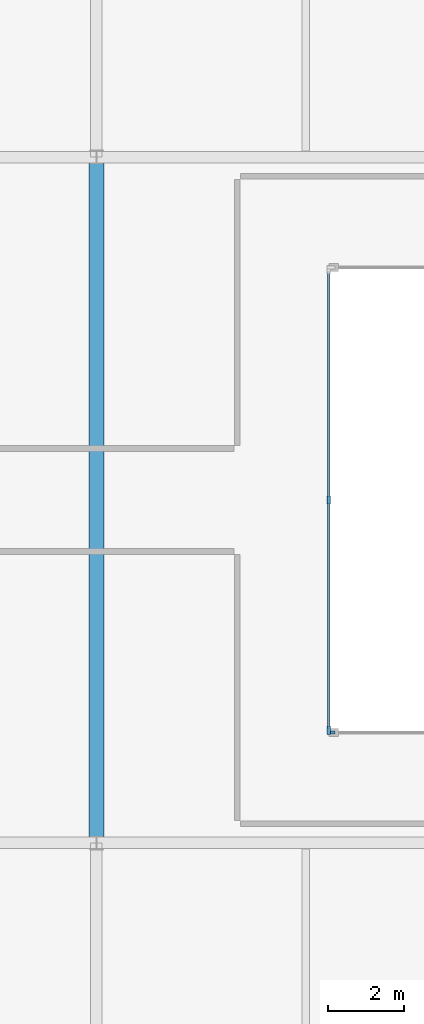
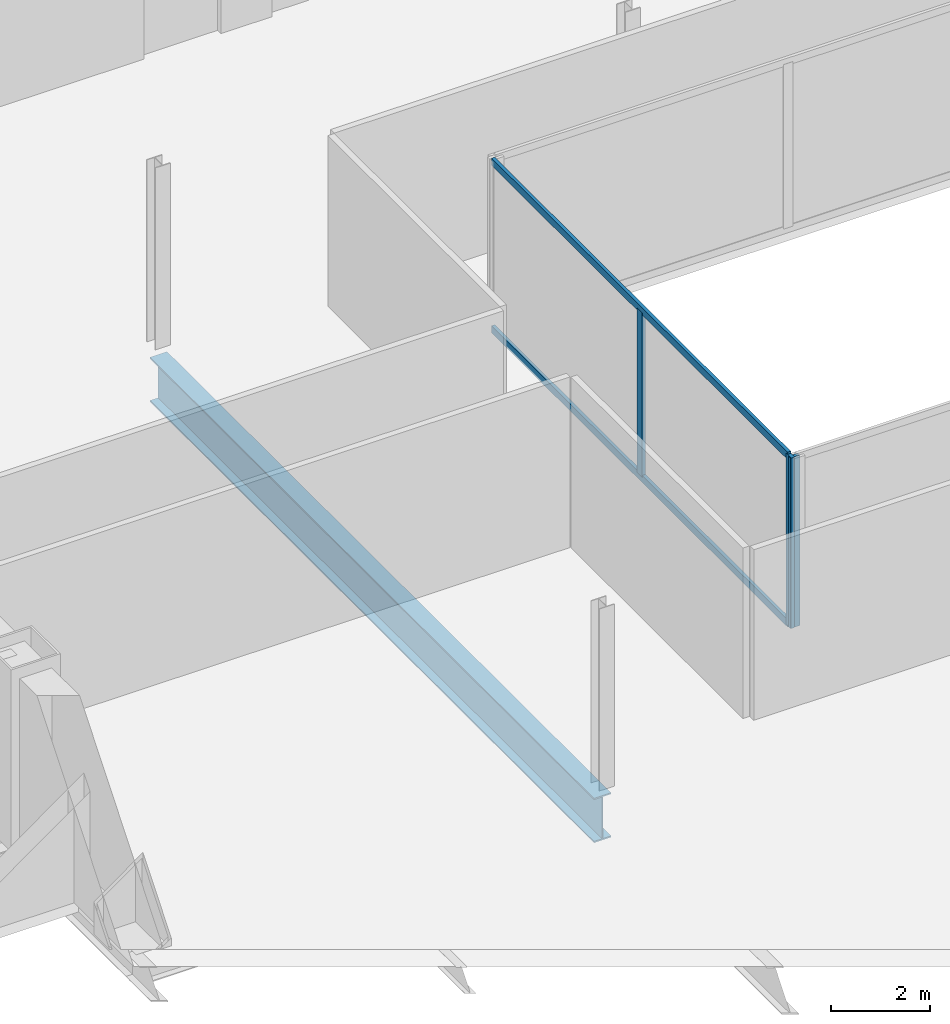
# One storey, part 10 of 27: 5 members, 1 beam, 2 elements without a shape of their own.
"""IFC4 building model written with IfcOpenShell, lengths in metres."""

import ifcopenshell
import ifcopenshell.guid

model = None  # the IFC model being written
_history = None  # IfcOwnerHistory: only IFC2X3 demands one
_inside = {}  # id of a spatial element -> (the spatial element, [elements in it])
_under = {}  # id of a project, library or spatial element -> (it, [spatial elements below it])
_declared = {}  # id of a project -> (the project, [libraries it declares])
_typed = {}  # id of a type object -> (the type object, [elements of that type])
_made_of = {}  # id of a material, layer set ... -> (it, [elements and type objects made of it])


def new_model(schema):
    """Start an empty IFC model of exactly this schema.

    Asked for "IFC4X3", IfcOpenShell would pick the latest addendum, in which some entities
    have other attributes; the version numbers below select the first issue.
    IFC2X3 requires an IfcOwnerHistory on every rooted entity: one is made here for all.
    """
    global model, _history
    if schema == "IFC4X3":
        model = ifcopenshell.file(schema_version=(4, 3, 0, 0))
    else:
        model = ifcopenshell.file(schema=schema)
    _inside.clear()
    _under.clear()
    _declared.clear()
    _typed.clear()
    _made_of.clear()
    _history = None
    if model.schema == "IFC2X3":
        org = make("IfcOrganization", Name="unknown")
        user = make(
            "IfcPersonAndOrganization",
            ThePerson=make("IfcPerson", FamilyName="unknown"),
            TheOrganization=org,
        )
        app = make(
            "IfcApplication",
            ApplicationDeveloper=org,
            Version="unknown",
            ApplicationFullName="unknown",
            ApplicationIdentifier="unknown",
        )
        _history = make(
            "IfcOwnerHistory",
            OwningUser=user,
            OwningApplication=app,
            ChangeAction="ADDED",
            CreationDate=0,
        )
    return model


def make(cls, **values):
    """One entity of the class cls with the attributes given. An attribute that is None is left unset."""
    return model.create_entity(
        cls, **{name: value for name, value in values.items() if value is not None}
    )


def rooted(cls, **values):
    """An entity with a GlobalId (a new one), such as an element, a storey or a relation."""
    return make(cls, GlobalId=ifcopenshell.guid.new(), OwnerHistory=_history, **values)


def si_unit(unit_type, name, prefix=None):
    """IfcSIUnit, for example si_unit("LENGTHUNIT", "METRE", prefix="MILLI")."""
    return make("IfcSIUnit", UnitType=unit_type, Prefix=prefix, Name=name)


def assignment(units):
    """IfcUnitAssignment: the units of a project."""
    return None if units is None else make("IfcUnitAssignment", Units=units)


def point(xyz):
    """IfcCartesianPoint."""
    return None if xyz is None else make("IfcCartesianPoint", Coordinates=xyz)


def direction(xyz):
    """IfcDirection."""
    return None if xyz is None else make("IfcDirection", DirectionRatios=xyz)


def frame(location, z_axis=None, x_axis=None):
    """IfcAxis2Placement3D, a coordinate frame: its origin and axes. An axis left out is left unset."""
    return make(
        "IfcAxis2Placement3D",
        Location=point(location),
        Axis=direction(z_axis),
        RefDirection=direction(x_axis),
    )


def frame_2d(location, x_axis=None):
    """IfcAxis2Placement2D, a coordinate frame in the plane: its origin and x axis."""
    return make(
        "IfcAxis2Placement2D", Location=point(location), RefDirection=direction(x_axis)
    )


def origin():
    """The frame at (0, 0, 0) with its axes left unset."""
    return frame((0.0, 0.0, 0.0))


def origin_2d():
    """The frame at (0, 0) in the plane with its x axis left unset."""
    return frame_2d((0.0, 0.0))


def place(relative_to, where):
    """IfcLocalPlacement: puts the frame where relative to a parent placement (None: the world)."""
    return make(
        "IfcLocalPlacement", PlacementRelTo=relative_to, RelativePlacement=where
    )


def context(
    kind, dimensions, precision=None, world=None, true_north=None, identifier=None
):
    """IfcGeometricRepresentationContext, for example the 3D "Model" context."""
    return make(
        "IfcGeometricRepresentationContext",
        ContextIdentifier=identifier,
        ContextType=kind,
        CoordinateSpaceDimension=dimensions,
        Precision=precision,
        WorldCoordinateSystem=world,
        TrueNorth=true_north,
    )


def subcontext(parent, identifier, kind, view, scale=None):
    """IfcGeometricRepresentationSubContext, for example "Body" below "Model"."""
    return make(
        "IfcGeometricRepresentationSubContext",
        ContextIdentifier=identifier,
        ContextType=kind,
        ParentContext=parent,
        TargetScale=scale,
        TargetView=view,
    )


def project(units=None, contexts=None):
    """IfcProject with its units and contexts."""
    return rooted(
        "IfcProject",
        Name="project",
        RepresentationContexts=contexts,
        UnitsInContext=assignment(units),
    )


def spatial(cls, under=None, at=None, **own):
    """A site, building, storey or space (cls), placed at a placement, below another one or the project."""
    s = rooted(cls, ObjectPlacement=at, **own)
    if under is not None:
        _under.setdefault(under.id(), (under, []))[1].append(s)
    return s


def profile(cls, at=None, kind="AREA", **sizes):
    """A parametric profile (cls). Its sizes go by their IFC names, for example OverallWidth=200.0."""
    return make(cls, ProfileType=kind, Position=at, **sizes)


def rectangle(**sizes):
    """IfcRectangleProfileDef."""
    return profile("IfcRectangleProfileDef", **sizes)


def i_section(**sizes):
    """IfcIShapeProfileDef."""
    return profile("IfcIShapeProfileDef", **sizes)


def extrude(swept, where, along, depth):
    """IfcExtrudedAreaSolid: the profile swept, set in the frame where, extruded along a direction by depth."""
    return make(
        "IfcExtrudedAreaSolid",
        SweptArea=swept,
        Position=where,
        ExtrudedDirection=direction(along),
        Depth=depth,
    )


def shape(context_of_items, identifier, shape_type, items):
    """IfcShapeRepresentation: the items that make up one representation, for example the "Body"."""
    return make(
        "IfcShapeRepresentation",
        ContextOfItems=context_of_items,
        RepresentationIdentifier=identifier,
        RepresentationType=shape_type,
        Items=items,
    )


def source(mapping_origin, context_of_items, identifier, shape_type, items):
    """IfcRepresentationMap: a shape defined once, which mapped items show again and again."""
    return make(
        "IfcRepresentationMap",
        MappingOrigin=mapping_origin,
        MappedRepresentation=shape(context_of_items, identifier, shape_type, items),
    )


def transform(
    local_origin,
    x_axis=None,
    y_axis=None,
    z_axis=None,
    scale=None,
    scale2=None,
    scale3=None,
    uniform=True,
):
    """IfcCartesianTransformationOperator3D, or its non-uniform kind. x_axis, y_axis, z_axis: its Axis1, 2, 3."""
    if uniform:
        return make(
            "IfcCartesianTransformationOperator3D",
            Axis1=direction(x_axis),
            Axis2=direction(y_axis),
            LocalOrigin=point(local_origin),
            Scale=scale,
            Axis3=direction(z_axis),
        )
    return make(
        "IfcCartesianTransformationOperator3DnonUniform",
        Axis1=direction(x_axis),
        Axis2=direction(y_axis),
        LocalOrigin=point(local_origin),
        Scale=scale,
        Axis3=direction(z_axis),
        Scale2=scale2,
        Scale3=scale3,
    )


def mapped(mapping_source, mapping_target):
    """IfcMappedItem: shows the shape of a source again, moved by a transform."""
    return make(
        "IfcMappedItem", MappingSource=mapping_source, MappingTarget=mapping_target
    )


def material(Name=None, Category=None):
    """IfcMaterial."""
    return make("IfcMaterial", Name=Name, Category=Category)


def layer(
    of_material, thickness, ventilated=None, Name=None, Category=None, Priority=None
):
    """IfcMaterialLayer: one layer of a wall or slab, of a material (None: an air gap)."""
    return make(
        "IfcMaterialLayer",
        Material=of_material,
        LayerThickness=thickness,
        IsVentilated=ventilated,
        Name=Name,
        Category=Category,
        Priority=Priority,
    )


def layer_set(layers, Name=None):
    """IfcMaterialLayerSet."""
    return make("IfcMaterialLayerSet", MaterialLayers=layers, LayerSetName=Name)


def material_profile(
    of_material, cross_section, Name=None, Category=None, Priority=None
):
    """IfcMaterialProfile: a cross section and its material."""
    return make(
        "IfcMaterialProfile",
        Name=Name,
        Material=of_material,
        Profile=cross_section,
        Priority=Priority,
        Category=Category,
    )


def profile_set(profiles, Name=None, composite=None):
    """IfcMaterialProfileSet."""
    return make(
        "IfcMaterialProfileSet",
        Name=Name,
        MaterialProfiles=profiles,
        CompositeProfile=composite,
    )


def made_of(thing, what):
    """Note that an element or type object is made of a material, layer set ...; save() writes the relation."""
    if what is not None:
        _made_of.setdefault(what.id(), (what, []))[1].append(thing)
    return thing


def type_object(cls, material=None, **own):
    """A type object (cls), such as IfcWallType, which elements share."""
    return made_of(rooted(cls, **own), material)


def type_shapes(of_type, sources):
    """Give a type object the sources (RepresentationMaps) that its elements show as mapped items."""
    of_type.RepresentationMaps = sources


def element(
    cls,
    number,
    at=None,
    inside=None,
    cuts=None,
    type_object=None,
    material=None,
    context=None,
    identifier="Body",
    shape_type=None,
    held_by="IfcProductDefinitionShape",
    body=None,
    shapes=None,
    **own,
):
    """One element of the class cls, such as IfcWall. Its Tag is "e" and its number.

    at: its placement. inside: the storey or other place that contains it. cuts: it is an
    opening in that element (IfcRelVoidsElement). A single representation is given by context,
    identifier, shape_type and body (its items); several are given by shapes. held_by: the class
    of the entity that holds the representations. save() writes the other relations.
    """
    e = rooted(cls, Tag="e%d" % number, ObjectPlacement=at, **own)
    if body is not None:
        shapes = [shape(context, identifier, shape_type, body)]
    if shapes is not None:
        e.Representation = make(held_by, Representations=shapes)
    if inside is not None:
        _inside.setdefault(inside.id(), (inside, []))[1].append(e)
    if cuts is not None:
        rooted(
            "IfcRelVoidsElement", RelatingBuildingElement=cuts, RelatedOpeningElement=e
        )
    if type_object is not None:
        _typed.setdefault(type_object.id(), (type_object, []))[1].append(e)
    return made_of(e, material)


def aggregate(whole, parts):
    """IfcRelAggregates: a whole, such as a stair, and the parts it consists of."""
    return rooted("IfcRelAggregates", RelatingObject=whole, RelatedObjects=parts)


def save(model, path):
    """Write the relations noted so far, then the file.

    IfcRelAggregates (storeys below a building ...), IfcRelContainedInSpatialStructure (elements
    in a storey), IfcRelDefinesByType, IfcRelAssociatesMaterial and IfcRelDeclares: one each for
    every whole, place, type object, material and project.
    """
    for whole, parts in _under.values():
        aggregate(whole, parts)
    for where, things in _inside.values():
        rooted(
            "IfcRelContainedInSpatialStructure",
            RelatedElements=things,
            RelatingStructure=where,
        )
    for kind, things in _typed.values():
        rooted("IfcRelDefinesByType", RelatedObjects=things, RelatingType=kind)
    for what, things in _made_of.values():
        rooted("IfcRelAssociatesMaterial", RelatedObjects=things, RelatingMaterial=what)
    for by, libraries in _declared.values():
        rooted("IfcRelDeclares", RelatingContext=by, RelatedDefinitions=libraries)
    model.write(path)


model = new_model("IFC4")

# Units and contexts
model_context = context("Model", 3, precision=1e-05, world=origin(), true_north=direction((0.0, 1.0)))
body_context = subcontext(model_context, "Body", "Model", "MODEL_VIEW")
ifc_project = project(units=[si_unit("LENGTHUNIT", "METRE"), si_unit("AREAUNIT", "SQUARE_METRE"), si_unit("VOLUMEUNIT", "CUBIC_METRE"), si_unit("PLANEANGLEUNIT", "RADIAN"), si_unit("MASSUNIT", "GRAM", prefix="KILO")], contexts=[model_context])

# Site, building, storey
site_placement = place(None, origin())
site = spatial("IfcSite", under=ifc_project, at=site_placement, CompositionType="ELEMENT")
building_placement = place(site_placement, origin())
building = spatial("IfcBuilding", under=site, at=building_placement, Name="Seokmaru Belvedere", CompositionType="ELEMENT")
storey_placement = place(building_placement, frame((0.0, 0.0, 9.89990234375)))
storey = spatial("IfcBuildingStorey", under=building, at=storey_placement, Name="L02", CompositionType="ELEMENT", Elevation=9.89990234375)

# Beam
ifc_material_1 = material(Name="Steel SM355 (355 MPa)", Category="steel")
ifc_material_profile_1 = material_profile(ifc_material_1, i_section(OverallWidth=0.39990234375, OverallDepth=1.10009765625, WebThickness=0.02001953125, FlangeThickness=0.033935546875, at=origin_2d()), Name="BH-1100x400x20x34")
ifc_profile_set_1 = profile_set([ifc_material_profile_1], Name="Steel SM355 (355 MPa)")
beam_type = type_object("IfcBeamType", Name="Sky-Gate Transverse Girder BH-1100", PredefinedType="BEAM", material=ifc_profile_set_1)
shared_shape_1 = source(origin(), body_context, "Body", "SweptSolid", [
    extrude(i_section(OverallWidth=0.39990234375, OverallDepth=1.10009765625, WebThickness=0.02001953125, FlangeThickness=0.033935546875, at=origin_2d()), origin(), (0.0, 0.0, 1.0), 18.0),
])
type_shapes(beam_type, [shared_shape_1])
beam_placement = place(storey_placement, frame((-16.5, -9.0, -0.829833984375), z_axis=(0.0, 1.0, 0.0), x_axis=(-1.0, 0.0, 0.0)))
element("IfcBeam", 1, at=beam_placement, inside=storey, type_object=beam_type, Name="L02 Central Podium Transverse Girder 1-3", PredefinedType="BEAM", context=body_context, shape_type="MappedRepresentation", body=[
    mapped(shared_shape_1, transform((0.0, 0.0, 0.0), scale=1.0)),
])

# Curtain wall, member
ifc_material_2 = material(Name="Bronze Triple Insulating Glass", Category="glass")
ifc_layer = layer(ifc_material_2, 0.219970703125)
ifc_layer_set = layer_set([ifc_layer], Name="Bronze Triple Insulating Glass")
curtain_wall_type = type_object("IfcCurtainWallType", Name="Podium Concourse Curtain Wall System CW-1", PredefinedType="NOTDEFINED", material=ifc_layer_set)
curtain_wall_1_placement = place(storey_placement, origin())
curtain_wall_1 = element("IfcCurtainWall", 2, at=curtain_wall_1_placement, inside=storey, type_object=curtain_wall_type, Name="L02 Curtain Wall AT_S", PredefinedType="NOTDEFINED")
ifc_material_3 = material(Name="Anodised Bronze Aluminium", Category="aluminium")
ifc_material_profile_2 = material_profile(ifc_material_3, rectangle(XDim=0.080078125, YDim=0.219970703125, at=origin_2d()), Name="CW-M-80x220")
ifc_profile_set_2 = profile_set([ifc_material_profile_2], Name="Anodised Bronze Aluminium")
member_type_1 = type_object("IfcMemberType", Name="Bronze Unitised Mullion 80x220", PredefinedType="MULLION", material=ifc_profile_set_2)
shared_shape_2 = source(origin(), body_context, "Body", "SweptSolid", [
    extrude(rectangle(XDim=0.080078125, YDim=0.219970703125, at=origin_2d()), origin(), (0.0, 0.0, 1.0), 4.22021484375),
])
member_1_placement = place(storey_placement, frame((-10.340087890625, -6.10009765625, 0.0), z_axis=(0.0, 0.0, 1.0), x_axis=(0.0, 1.0, 0.0)))
member_1 = element("IfcMember", 3, at=member_1_placement, type_object=member_type_1, Name="CW:L02:AT_S Mullion 1", PredefinedType="MULLION", context=body_context, shape_type="MappedRepresentation", body=[
    mapped(shared_shape_2, transform((0.0, 0.0, 0.0), scale=1.0)),
])
aggregate(curtain_wall_1, [member_1])

# Curtain wall, members
curtain_wall_2_placement = place(storey_placement, origin())
curtain_wall_2 = element("IfcCurtainWall", 4, at=curtain_wall_2_placement, inside=storey, type_object=curtain_wall_type, Name="L02 Curtain Wall AT_W", PredefinedType="NOTDEFINED")
member_2_placement = place(storey_placement, frame((-10.39990234375, -6.0400390625, 0.0), z_axis=(0.0, 0.0, 1.0), x_axis=(1.0, 0.0, 0.0)))
member_2 = element("IfcMember", 5, at=member_2_placement, type_object=member_type_1, Name="CW:L02:AT_W Mullion 3", PredefinedType="MULLION", context=body_context, shape_type="MappedRepresentation", body=[
    mapped(shared_shape_2, transform((0.0, 0.0, 0.0), scale=1.0)),
])
shared_shape_3 = source(origin(), body_context, "Body", "SweptSolid", [
    extrude(rectangle(XDim=0.080078125, YDim=0.219970703125, at=origin_2d()), origin(), (0.0, 0.0, 1.0), 4.06982421875),
])
type_shapes(member_type_1, [shared_shape_2, shared_shape_3])
member_3_placement = place(storey_placement, frame((-10.39990234375, 0.0, 0.0751953125), z_axis=(0.0, 0.0, 1.0), x_axis=(1.0, 0.0, 0.0)))
member_3 = element("IfcMember", 6, at=member_3_placement, type_object=member_type_1, Name="CW:L02:AT_W Mullion 2", PredefinedType="MULLION", context=body_context, shape_type="MappedRepresentation", body=[
    mapped(shared_shape_3, transform((0.0, 0.0, 0.0), scale=1.0)),
])
ifc_material_profile_3 = material_profile(ifc_material_3, rectangle(XDim=0.074951171875, YDim=0.179931640625, at=origin_2d()), Name="CW-T-75x180")
ifc_profile_set_3 = profile_set([ifc_material_profile_3], Name="Anodised Bronze Aluminium")
member_type_2 = type_object("IfcMemberType", Name="Bronze Unitised Transom 75x180", PredefinedType="USERDEFINED", material=ifc_profile_set_3)
shared_shape_4 = source(origin(), body_context, "Body", "SweptSolid", [
    extrude(rectangle(XDim=0.074951171875, YDim=0.179931640625, at=origin_2d()), origin(), (0.0, 0.0, 1.0), 12.0),
])
type_shapes(member_type_2, [shared_shape_4])
member_4_placement = place(storey_placement, frame((-10.39990234375, 6.0, 0.03759765625), z_axis=(0.0, -1.0, 0.0), x_axis=(1.0, 0.0, 0.0)))
member_4 = element("IfcMember", 7, at=member_4_placement, type_object=member_type_2, Name="CW:L02:AT_W Continuous Transom 1", ObjectType="TRANSOM", PredefinedType="USERDEFINED", context=body_context, shape_type="MappedRepresentation", body=[
    mapped(shared_shape_4, transform((0.0, 0.0, 0.0), scale=1.0)),
])
member_5_placement = place(storey_placement, frame((-10.39990234375, 6.0, 4.1826171875), z_axis=(0.0, -1.0, 0.0), x_axis=(1.0, 0.0, 0.0)))
member_5 = element("IfcMember", 8, at=member_5_placement, type_object=member_type_2, Name="CW:L02:AT_W Continuous Transom 2", ObjectType="TRANSOM", PredefinedType="USERDEFINED", context=body_context, shape_type="MappedRepresentation", body=[
    mapped(shared_shape_4, transform((0.0, 0.0, 0.0), scale=1.0)),
])
aggregate(curtain_wall_2, [member_3, member_2, member_4, member_5])

save(model, "model.ifc")
